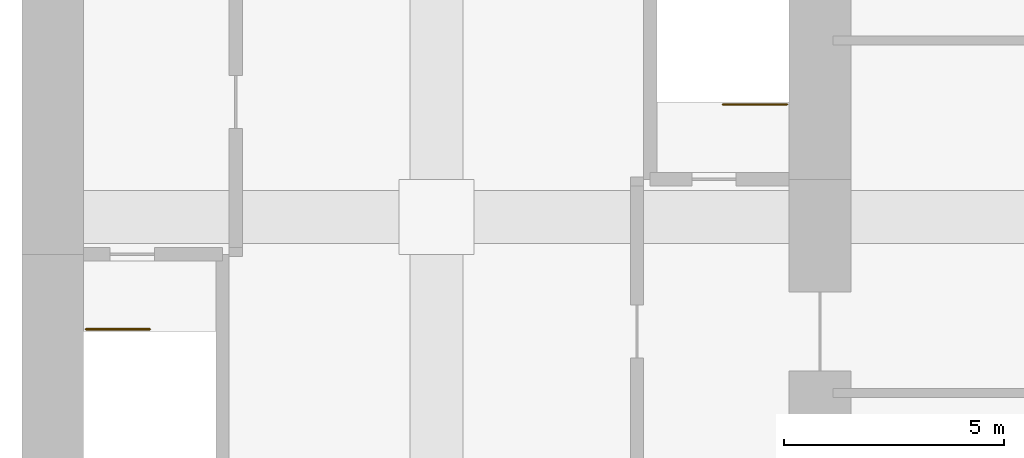
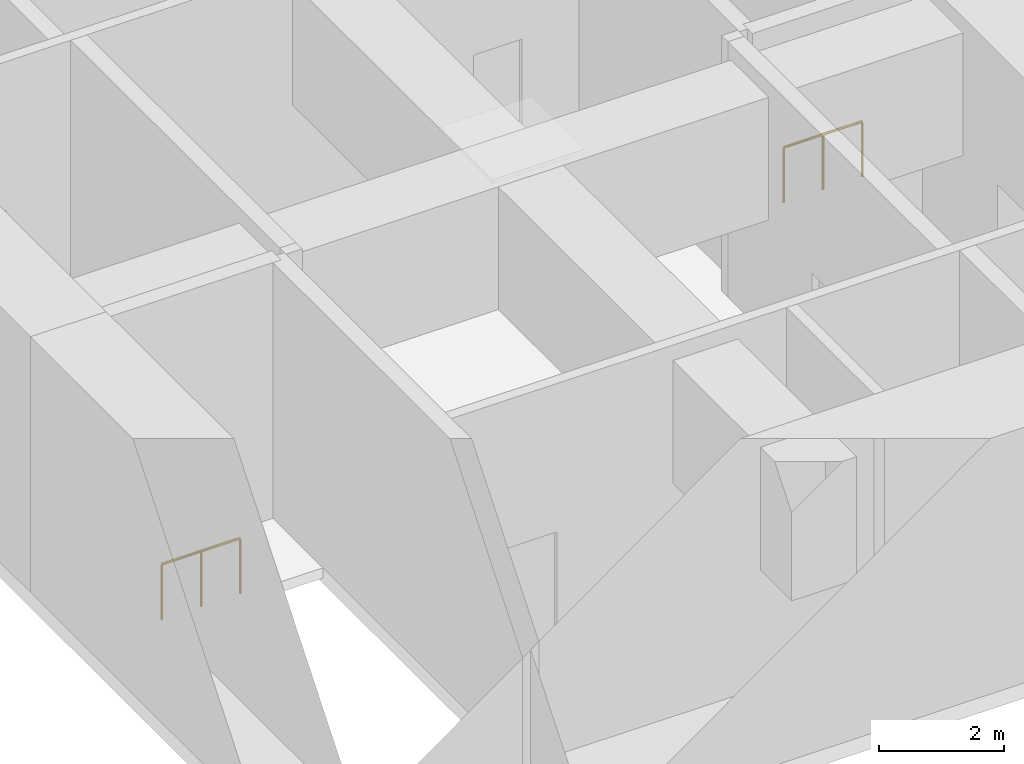
# One storey, part 7 of 7: 2 railings.
"""IFC4 building model written with IfcOpenShell, lengths in metres."""

from ifc_helpers import new_model, si_unit, direction, frame, origin, origin_2d, place, context, subcontext, project, spatial, circle, extrude, material, type_object, element, save


model = new_model("IFC4")

# Units and contexts
model_context = context("Model", 3, precision=1e-05, world=origin(), true_north=direction((0.0, 1.0)))
body_context = subcontext(model_context, "Body", "Model", "MODEL_VIEW")
ifc_project = project(units=[si_unit("LENGTHUNIT", "METRE"), si_unit("AREAUNIT", "SQUARE_METRE"), si_unit("VOLUMEUNIT", "CUBIC_METRE"), si_unit("PLANEANGLEUNIT", "RADIAN"), si_unit("MASSUNIT", "GRAM", prefix="KILO")], contexts=[model_context])

# Site, building, storey
site_placement = place(None, origin())
site = spatial("IfcSite", under=ifc_project, at=site_placement, CompositionType="ELEMENT")
building_placement = place(site_placement, origin())
building = spatial("IfcBuilding", under=site, at=building_placement, Name="Cleftline Residences", CompositionType="ELEMENT")
storey_placement = place(building_placement, frame((0.0, 0.0, 296.60009765625)))
storey = spatial("IfcBuildingStorey", under=building, at=storey_placement, Name="L77", CompositionType="ELEMENT", Elevation=296.60009765625)

# Railings
ifc_material = material(Name="Stainless steel", Category="steel")
railing_type = type_object("IfcRailingType", Name="STAIR GUARD 1100", PredefinedType="GUARDRAIL", material=ifc_material)
for number, where, name in (
    (1, (25.050048828125, 21.449951171875, 0.0), "Stair well guard"),
    (2, (39.5, 26.550048828125, 0.0), "Stair well guard"),
):
    element("IfcRailing", number, at=place(storey_placement, frame(where)), inside=storey, type_object=railing_type, Name=name, PredefinedType="GUARDRAIL", context=body_context, shape_type="SweptSolid", body=[
        extrude(circle(Radius=0.02392578125, at=origin_2d()), frame((0.0, 0.0, 1.076171875), z_axis=(1.0, 0.0, 0.0), x_axis=(0.0, 1.0, 0.0)), (0.0, 0.0, 1.0), 1.449951171875),
        extrude(circle(Radius=0.02099609375, at=origin_2d()), origin(), (0.0, 0.0, 1.0), 1.052001953125),
        extrude(circle(Radius=0.02099609375, at=origin_2d()), frame((0.72509765625, 0.0, 0.0)), (0.0, 0.0, 1.0), 1.052001953125),
        extrude(circle(Radius=0.02099609375, at=origin_2d()), frame((1.449951171875, 0.0, 0.0)), (0.0, 0.0, 1.0), 1.052001953125),
    ])

save(model, "model.ifc")
